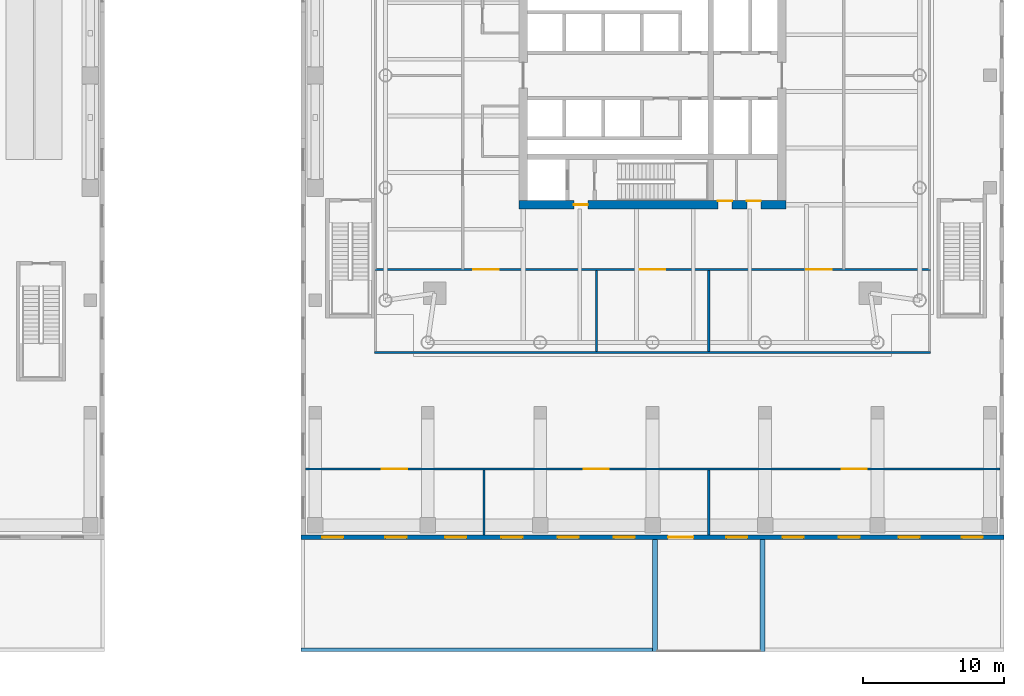
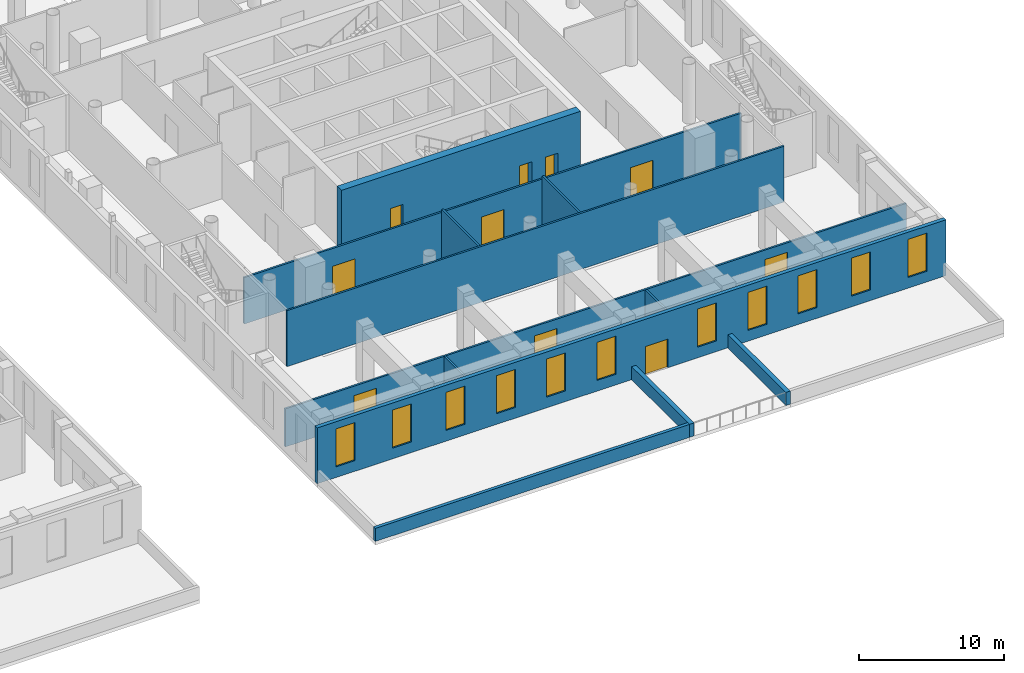
# One storey, part 14 of 26: 12 walls, 11 windows, 10 doors, 21 openings.
"""IFC4 building model written with IfcOpenShell, lengths in metres."""

from ifc_helpers import new_model, si_unit, direction, frame, frame_2d, origin, place, context, subcontext, project, spatial, rectangle, extrude, material, layer, layer_set, type_object, element, fill, save


model = new_model("IFC4")

# Units and contexts
model_context = context("Model", 3, precision=1e-05, world=origin(), true_north=direction((0.0, 1.0)))
body_context = subcontext(model_context, "Body", "Model", "MODEL_VIEW")
ifc_project = project(units=[si_unit("LENGTHUNIT", "METRE"), si_unit("AREAUNIT", "SQUARE_METRE"), si_unit("VOLUMEUNIT", "CUBIC_METRE"), si_unit("PLANEANGLEUNIT", "RADIAN"), si_unit("MASSUNIT", "GRAM", prefix="KILO")], contexts=[model_context])

# Site, building, storey
site_placement = place(None, origin())
site = spatial("IfcSite", under=ifc_project, at=site_placement, CompositionType="ELEMENT")
building_placement = place(site_placement, origin())
building = spatial("IfcBuilding", under=site, at=building_placement, Name="Ostroluk Exchange", CompositionType="ELEMENT")
storey_placement = place(building_placement, frame((0.0, 0.0, 6.0)))
storey = spatial("IfcBuildingStorey", under=building, at=storey_placement, Name="L01", CompositionType="ELEMENT", Elevation=6.0)

# Wall, openings, doors
ifc_material_1 = material(Name="Concrete C50/60", Category="concrete")
ifc_layer_1 = layer(ifc_material_1, 0.60009765625)
ifc_layer_set_1 = layer_set([ifc_layer_1], Name="Core wall 600 C50/60")
wall_type_1 = type_object("IfcWallType", Name="Core wall 600 C50/60", PredefinedType="SHEAR", material=ifc_layer_set_1)
wall_1_placement = place(storey_placement, frame((107.5, 36.800048828125, 0.0), z_axis=(0.0, 0.0, 1.0), x_axis=(1.0, 0.0, 0.0)))
wall_1 = element("IfcWall", 1, at=wall_1_placement, inside=storey, type_object=wall_type_1, Name="T2 core wall S", PredefinedType="SHEAR", context=body_context, shape_type="SweptSolid", body=[
    extrude(rectangle(XDim=19.0, YDim=0.60009765625, at=frame_2d((9.5, 0.0))), origin(), (0.0, 0.0, 1.0), 5.0),
])
opening_1_placement = place(wall_1_placement, frame((3.89990234375, 0.0, 0.0)))
opening_1 = element("IfcOpeningElement", 2, at=opening_1_placement, cuts=wall_1, Name="Opening FD60", PredefinedType="OPENING", context=body_context, shape_type="SweptSolid", body=[
    extrude(rectangle(XDim=1.0, YDim=2.10009765625, at=frame_2d((0.5, 1.050048828125))), frame((0.0, 0.31005859375, 0.0), z_axis=(0.0, -1.0, 0.0), x_axis=(1.0, 0.0, 0.0)), (0.0, 0.0, 1.0), 0.6201171875),
])
opening_2_placement = place(wall_1_placement, frame((14.152587890625, 0.0, 0.0)))
opening_2 = element("IfcOpeningElement", 3, at=opening_2_placement, cuts=wall_1, Name="Opening FD60", PredefinedType="OPENING", context=body_context, shape_type="SweptSolid", body=[
    extrude(rectangle(XDim=1.0, YDim=2.10009765625, at=frame_2d((0.5, 1.050048828125))), frame((0.0, 0.31005859375, 0.0), z_axis=(0.0, -1.0, 0.0), x_axis=(1.0, 0.0, 0.0)), (0.0, 0.0, 1.0), 0.6201171875),
])
opening_3_placement = place(wall_1_placement, frame((16.199951171875, 0.0, 0.0)))
opening_3 = element("IfcOpeningElement", 4, at=opening_3_placement, cuts=wall_1, Name="Opening FD60", PredefinedType="OPENING", context=body_context, shape_type="SweptSolid", body=[
    extrude(rectangle(XDim=1.0, YDim=2.10009765625, at=frame_2d((0.5, 1.050048828125))), frame((0.0, 0.31005859375, 0.0), z_axis=(0.0, -1.0, 0.0), x_axis=(1.0, 0.0, 0.0)), (0.0, 0.0, 1.0), 0.6201171875),
])
ifc_material_2 = material(Name="Steel", Category="steel")
door_type_1 = type_object("IfcDoorType", Name="Fire door EI 60 1000 x 2100", OperationType="SINGLE_SWING_LEFT", PredefinedType="DOOR", material=ifc_material_2)
door_1_placement = place(opening_1_placement, origin())
door_1 = element("IfcDoor", 5, at=door_1_placement, inside=storey, type_object=door_type_1, Name="Firefighting lobby door", OperationType="SINGLE_SWING_LEFT", OverallHeight=2.10009765625, OverallWidth=1.0, PredefinedType="DOOR", context=body_context, shape_type="SweptSolid", body=[
    extrude(rectangle(XDim=1.0, YDim=2.10009765625, at=frame_2d((0.5, 1.050048828125))), frame((0.0, 0.02490234375, 0.0), z_axis=(0.0, -1.0, 0.0), x_axis=(1.0, 0.0, 0.0)), (0.0, 0.0, 1.0), 0.050048828125),
])
fill(opening_1, door_1)
door_2_placement = place(opening_2_placement, origin())
door_2 = element("IfcDoor", 6, at=door_2_placement, inside=storey, type_object=door_type_1, Name="Waste store door", OperationType="SINGLE_SWING_RIGHT", OverallHeight=2.10009765625, OverallWidth=1.0, PredefinedType="DOOR", context=body_context, shape_type="SweptSolid", body=[
    extrude(rectangle(XDim=1.0, YDim=2.10009765625, at=frame_2d((0.5, 1.050048828125))), frame((0.0, 0.2900390625, 0.0), z_axis=(0.0, -1.0, 0.0), x_axis=(1.0, 0.0, 0.0)), (0.0, 0.0, 1.0), 0.050048828125),
])
fill(opening_2, door_2)
door_3_placement = place(opening_3_placement, origin())
door_3 = element("IfcDoor", 7, at=door_3_placement, inside=storey, type_object=door_type_1, Name="Security equipment store door", OperationType="SINGLE_SWING_RIGHT", OverallHeight=2.10009765625, OverallWidth=1.0, PredefinedType="DOOR", context=body_context, shape_type="SweptSolid", body=[
    extrude(rectangle(XDim=1.0, YDim=2.10009765625, at=frame_2d((0.5, 1.050048828125))), frame((0.0, 0.2900390625, 0.0), z_axis=(0.0, -1.0, 0.0), x_axis=(1.0, 0.0, 0.0)), (0.0, 0.0, 1.0), 0.050048828125),
])
fill(opening_3, door_3)

# Wall
ifc_material_3 = material(Name="Limestone", Category="masonry")
ifc_layer_2 = layer(ifc_material_3, 0.25)
ifc_layer_set_2 = layer_set([ifc_layer_2], Name="Green roof parapet 250")
wall_type_2 = type_object("IfcWallType", Name="Green roof parapet 250", PredefinedType="PARAPET", material=ifc_layer_set_2)
wall_2_placement = place(storey_placement, frame((92.0, 5.125, 0.0), z_axis=(0.0, 0.0, 1.0), x_axis=(1.0, 0.0, 0.0)))
element("IfcWall", 8, at=wall_2_placement, inside=storey, type_object=wall_type_2, Name="Green roof parapet L01 1", PredefinedType="PARAPET", context=body_context, shape_type="SweptSolid", body=[
    extrude(rectangle(XDim=24.989990234375, YDim=0.25, at=frame_2d((12.4951171875, 0.0))), origin(), (0.0, 0.0, 1.0), 1.10009765625),
])

# Wall, openings, windows, door
ifc_material_4 = material(Name="Limestone", Category="masonry")
ifc_layer_3 = layer(ifc_material_4, 0.300048828125)
ifc_layer_set_3 = layer_set([ifc_layer_3], Name="Limestone facade wall 300")
wall_type_3 = type_object("IfcWallType", Name="Limestone facade wall 300", PredefinedType="SOLIDWALL", material=ifc_layer_set_3)
wall_3_placement = place(storey_placement, frame((92.0, 13.14990234375, 0.0), z_axis=(0.0, 0.0, 1.0), x_axis=(1.0, 0.0, 0.0)))
wall_3 = element("IfcWall", 9, at=wall_3_placement, inside=storey, type_object=wall_type_3, Name="Podium east S wall L01 1a", PredefinedType="SOLIDWALL", context=body_context, shape_type="SweptSolid", body=[
    extrude(rectangle(XDim=50.0, YDim=0.300048828125, at=frame_2d((25.0, 0.0))), origin(), (0.0, 0.0, 1.0), 4.699951171875),
])
opening_4_placement = place(wall_3_placement, frame((1.5, 0.0, 0.89990234375)))
opening_4 = element("IfcOpeningElement", 10, at=opening_4_placement, cuts=wall_3, Name="Opening WN-L2", PredefinedType="OPENING", context=body_context, shape_type="SweptSolid", body=[
    extrude(rectangle(XDim=1.5, YDim=3.199951171875, at=frame_2d((0.75, 1.60009765625))), frame((0.0, 0.159912109375, 0.0), z_axis=(0.0, -1.0, 0.0), x_axis=(1.0, 0.0, 0.0)), (0.0, 0.0, 1.0), 0.320068359375),
])
opening_5_placement = place(wall_3_placement, frame((6.0, 0.0, 0.89990234375)))
opening_5 = element("IfcOpeningElement", 11, at=opening_5_placement, cuts=wall_3, Name="Opening WN-L2", PredefinedType="OPENING", context=body_context, shape_type="SweptSolid", body=[
    extrude(rectangle(XDim=1.5, YDim=3.199951171875, at=frame_2d((0.75, 1.60009765625))), frame((0.0, 0.159912109375, 0.0), z_axis=(0.0, -1.0, 0.0), x_axis=(1.0, 0.0, 0.0)), (0.0, 0.0, 1.0), 0.320068359375),
])
opening_6_placement = place(wall_3_placement, frame((10.25, 0.0, 0.89990234375)))
opening_6 = element("IfcOpeningElement", 12, at=opening_6_placement, cuts=wall_3, Name="Opening WN-L2", PredefinedType="OPENING", context=body_context, shape_type="SweptSolid", body=[
    extrude(rectangle(XDim=1.5, YDim=3.199951171875, at=frame_2d((0.75, 1.60009765625))), frame((0.0, 0.159912109375, 0.0), z_axis=(0.0, -1.0, 0.0), x_axis=(1.0, 0.0, 0.0)), (0.0, 0.0, 1.0), 0.320068359375),
])
opening_7_placement = place(wall_3_placement, frame((14.25, 0.0, 0.89990234375)))
opening_7 = element("IfcOpeningElement", 13, at=opening_7_placement, cuts=wall_3, Name="Opening WN-L2", PredefinedType="OPENING", context=body_context, shape_type="SweptSolid", body=[
    extrude(rectangle(XDim=1.5, YDim=3.199951171875, at=frame_2d((0.75, 1.60009765625))), frame((0.0, 0.159912109375, 0.0), z_axis=(0.0, -1.0, 0.0), x_axis=(1.0, 0.0, 0.0)), (0.0, 0.0, 1.0), 0.320068359375),
])
opening_8_placement = place(wall_3_placement, frame((18.25, 0.0, 0.89990234375)))
opening_8 = element("IfcOpeningElement", 14, at=opening_8_placement, cuts=wall_3, Name="Opening WN-L2", PredefinedType="OPENING", context=body_context, shape_type="SweptSolid", body=[
    extrude(rectangle(XDim=1.5, YDim=3.199951171875, at=frame_2d((0.75, 1.60009765625))), frame((0.0, 0.159912109375, 0.0), z_axis=(0.0, -1.0, 0.0), x_axis=(1.0, 0.0, 0.0)), (0.0, 0.0, 1.0), 0.320068359375),
])
opening_9_placement = place(wall_3_placement, frame((22.25, 0.0, 0.89990234375)))
opening_9 = element("IfcOpeningElement", 15, at=opening_9_placement, cuts=wall_3, Name="Opening WN-L2", PredefinedType="OPENING", context=body_context, shape_type="SweptSolid", body=[
    extrude(rectangle(XDim=1.5, YDim=3.199951171875, at=frame_2d((0.75, 1.60009765625))), frame((0.0, 0.159912109375, 0.0), z_axis=(0.0, -1.0, 0.0), x_axis=(1.0, 0.0, 0.0)), (0.0, 0.0, 1.0), 0.320068359375),
])
opening_10_placement = place(wall_3_placement, frame((26.10009765625, 0.0, 0.0)))
opening_10 = element("IfcOpeningElement", 16, at=opening_10_placement, cuts=wall_3, Name="Opening D-T1", PredefinedType="OPENING", context=body_context, shape_type="SweptSolid", body=[
    extrude(rectangle(XDim=1.800048828125, YDim=2.39990234375, at=frame_2d((0.89990234375, 1.199951171875))), frame((0.0, 0.159912109375, 0.0), z_axis=(0.0, -1.0, 0.0), x_axis=(1.0, 0.0, 0.0)), (0.0, 0.0, 1.0), 0.320068359375),
])
opening_11_placement = place(wall_3_placement, frame((30.25, 0.0, 0.89990234375)))
opening_11 = element("IfcOpeningElement", 17, at=opening_11_placement, cuts=wall_3, Name="Opening WN-L2", PredefinedType="OPENING", context=body_context, shape_type="SweptSolid", body=[
    extrude(rectangle(XDim=1.5, YDim=3.199951171875, at=frame_2d((0.75, 1.60009765625))), frame((0.0, 0.159912109375, 0.0), z_axis=(0.0, -1.0, 0.0), x_axis=(1.0, 0.0, 0.0)), (0.0, 0.0, 1.0), 0.320068359375),
])
opening_12_placement = place(wall_3_placement, frame((34.25, 0.0, 0.89990234375)))
opening_12 = element("IfcOpeningElement", 18, at=opening_12_placement, cuts=wall_3, Name="Opening WN-L2", PredefinedType="OPENING", context=body_context, shape_type="SweptSolid", body=[
    extrude(rectangle(XDim=1.5, YDim=3.199951171875, at=frame_2d((0.75, 1.60009765625))), frame((0.0, 0.159912109375, 0.0), z_axis=(0.0, -1.0, 0.0), x_axis=(1.0, 0.0, 0.0)), (0.0, 0.0, 1.0), 0.320068359375),
])
opening_13_placement = place(wall_3_placement, frame((38.25, 0.0, 0.89990234375)))
opening_13 = element("IfcOpeningElement", 19, at=opening_13_placement, cuts=wall_3, Name="Opening WN-L2", PredefinedType="OPENING", context=body_context, shape_type="SweptSolid", body=[
    extrude(rectangle(XDim=1.5, YDim=3.199951171875, at=frame_2d((0.75, 1.60009765625))), frame((0.0, 0.159912109375, 0.0), z_axis=(0.0, -1.0, 0.0), x_axis=(1.0, 0.0, 0.0)), (0.0, 0.0, 1.0), 0.320068359375),
])
opening_14_placement = place(wall_3_placement, frame((42.5, 0.0, 0.89990234375)))
opening_14 = element("IfcOpeningElement", 20, at=opening_14_placement, cuts=wall_3, Name="Opening WN-L2", PredefinedType="OPENING", context=body_context, shape_type="SweptSolid", body=[
    extrude(rectangle(XDim=1.5, YDim=3.199951171875, at=frame_2d((0.75, 1.60009765625))), frame((0.0, 0.159912109375, 0.0), z_axis=(0.0, -1.0, 0.0), x_axis=(1.0, 0.0, 0.0)), (0.0, 0.0, 1.0), 0.320068359375),
])
opening_15_placement = place(wall_3_placement, frame((47.0, 0.0, 0.89990234375)))
opening_15 = element("IfcOpeningElement", 21, at=opening_15_placement, cuts=wall_3, Name="Opening WN-L2", PredefinedType="OPENING", context=body_context, shape_type="SweptSolid", body=[
    extrude(rectangle(XDim=1.5, YDim=3.199951171875, at=frame_2d((0.75, 1.60009765625))), frame((0.0, 0.159912109375, 0.0), z_axis=(0.0, -1.0, 0.0), x_axis=(1.0, 0.0, 0.0)), (0.0, 0.0, 1.0), 0.320068359375),
])
ifc_material_5 = material(Name="Laminated clear glass", Category="glass")
window_type = type_object("IfcWindowType", Name="Podium lancet window 1500 x 3200", PartitioningType="DOUBLE_PANEL_VERTICAL", PredefinedType="WINDOW", material=ifc_material_5)
window_1_placement = place(opening_4_placement, origin())
window_1 = element("IfcWindow", 22, at=window_1_placement, inside=storey, type_object=window_type, Name="Podium east lancet window S L01 1.1", OverallHeight=3.199951171875, OverallWidth=1.5, PartitioningType="SINGLE_PANEL", PredefinedType="WINDOW", context=body_context, shape_type="SweptSolid", body=[
    extrude(rectangle(XDim=1.5, YDim=3.199951171875, at=frame_2d((0.75, 1.60009765625))), frame((0.0, 0.030029296875, 0.0), z_axis=(0.0, -1.0, 0.0), x_axis=(1.0, 0.0, 0.0)), (0.0, 0.0, 1.0), 0.06005859375),
])
fill(opening_4, window_1)
window_2_placement = place(opening_5_placement, origin())
window_2 = element("IfcWindow", 23, at=window_2_placement, inside=storey, type_object=window_type, Name="Podium east lancet window S L01 1.2", OverallHeight=3.199951171875, OverallWidth=1.5, PartitioningType="SINGLE_PANEL", PredefinedType="WINDOW", context=body_context, shape_type="SweptSolid", body=[
    extrude(rectangle(XDim=1.5, YDim=3.199951171875, at=frame_2d((0.75, 1.60009765625))), frame((0.0, 0.030029296875, 0.0), z_axis=(0.0, -1.0, 0.0), x_axis=(1.0, 0.0, 0.0)), (0.0, 0.0, 1.0), 0.06005859375),
])
fill(opening_5, window_2)
window_3_placement = place(opening_6_placement, origin())
window_3 = element("IfcWindow", 24, at=window_3_placement, inside=storey, type_object=window_type, Name="Podium east lancet window S L01 2.1", OverallHeight=3.199951171875, OverallWidth=1.5, PartitioningType="SINGLE_PANEL", PredefinedType="WINDOW", context=body_context, shape_type="SweptSolid", body=[
    extrude(rectangle(XDim=1.5, YDim=3.199951171875, at=frame_2d((0.75, 1.60009765625))), frame((0.0, 0.030029296875, 0.0), z_axis=(0.0, -1.0, 0.0), x_axis=(1.0, 0.0, 0.0)), (0.0, 0.0, 1.0), 0.06005859375),
])
fill(opening_6, window_3)
window_4_placement = place(opening_7_placement, origin())
window_4 = element("IfcWindow", 25, at=window_4_placement, inside=storey, type_object=window_type, Name="Podium east lancet window S L01 2.2", OverallHeight=3.199951171875, OverallWidth=1.5, PartitioningType="SINGLE_PANEL", PredefinedType="WINDOW", context=body_context, shape_type="SweptSolid", body=[
    extrude(rectangle(XDim=1.5, YDim=3.199951171875, at=frame_2d((0.75, 1.60009765625))), frame((0.0, 0.030029296875, 0.0), z_axis=(0.0, -1.0, 0.0), x_axis=(1.0, 0.0, 0.0)), (0.0, 0.0, 1.0), 0.06005859375),
])
fill(opening_7, window_4)
window_5_placement = place(opening_8_placement, origin())
window_5 = element("IfcWindow", 26, at=window_5_placement, inside=storey, type_object=window_type, Name="Podium east lancet window S L01 3.1", OverallHeight=3.199951171875, OverallWidth=1.5, PartitioningType="SINGLE_PANEL", PredefinedType="WINDOW", context=body_context, shape_type="SweptSolid", body=[
    extrude(rectangle(XDim=1.5, YDim=3.199951171875, at=frame_2d((0.75, 1.60009765625))), frame((0.0, 0.030029296875, 0.0), z_axis=(0.0, -1.0, 0.0), x_axis=(1.0, 0.0, 0.0)), (0.0, 0.0, 1.0), 0.06005859375),
])
fill(opening_8, window_5)
window_6_placement = place(opening_9_placement, origin())
window_6 = element("IfcWindow", 27, at=window_6_placement, inside=storey, type_object=window_type, Name="Podium east lancet window S L01 3.2", OverallHeight=3.199951171875, OverallWidth=1.5, PartitioningType="SINGLE_PANEL", PredefinedType="WINDOW", context=body_context, shape_type="SweptSolid", body=[
    extrude(rectangle(XDim=1.5, YDim=3.199951171875, at=frame_2d((0.75, 1.60009765625))), frame((0.0, 0.030029296875, 0.0), z_axis=(0.0, -1.0, 0.0), x_axis=(1.0, 0.0, 0.0)), (0.0, 0.0, 1.0), 0.06005859375),
])
fill(opening_9, window_6)
window_7_placement = place(opening_11_placement, origin())
window_7 = element("IfcWindow", 28, at=window_7_placement, inside=storey, type_object=window_type, Name="Podium east lancet window S L01 4.2", OverallHeight=3.199951171875, OverallWidth=1.5, PartitioningType="SINGLE_PANEL", PredefinedType="WINDOW", context=body_context, shape_type="SweptSolid", body=[
    extrude(rectangle(XDim=1.5, YDim=3.199951171875, at=frame_2d((0.75, 1.60009765625))), frame((0.0, 0.030029296875, 0.0), z_axis=(0.0, -1.0, 0.0), x_axis=(1.0, 0.0, 0.0)), (0.0, 0.0, 1.0), 0.06005859375),
])
fill(opening_11, window_7)
window_8_placement = place(opening_12_placement, origin())
window_8 = element("IfcWindow", 29, at=window_8_placement, inside=storey, type_object=window_type, Name="Podium east lancet window S L01 5.1", OverallHeight=3.199951171875, OverallWidth=1.5, PartitioningType="SINGLE_PANEL", PredefinedType="WINDOW", context=body_context, shape_type="SweptSolid", body=[
    extrude(rectangle(XDim=1.5, YDim=3.199951171875, at=frame_2d((0.75, 1.60009765625))), frame((0.0, 0.030029296875, 0.0), z_axis=(0.0, -1.0, 0.0), x_axis=(1.0, 0.0, 0.0)), (0.0, 0.0, 1.0), 0.06005859375),
])
fill(opening_12, window_8)
window_9_placement = place(opening_13_placement, origin())
window_9 = element("IfcWindow", 30, at=window_9_placement, inside=storey, type_object=window_type, Name="Podium east lancet window S L01 5.2", OverallHeight=3.199951171875, OverallWidth=1.5, PartitioningType="SINGLE_PANEL", PredefinedType="WINDOW", context=body_context, shape_type="SweptSolid", body=[
    extrude(rectangle(XDim=1.5, YDim=3.199951171875, at=frame_2d((0.75, 1.60009765625))), frame((0.0, 0.030029296875, 0.0), z_axis=(0.0, -1.0, 0.0), x_axis=(1.0, 0.0, 0.0)), (0.0, 0.0, 1.0), 0.06005859375),
])
fill(opening_13, window_9)
window_10_placement = place(opening_14_placement, origin())
window_10 = element("IfcWindow", 31, at=window_10_placement, inside=storey, type_object=window_type, Name="Podium east lancet window S L01 6.1", OverallHeight=3.199951171875, OverallWidth=1.5, PartitioningType="SINGLE_PANEL", PredefinedType="WINDOW", context=body_context, shape_type="SweptSolid", body=[
    extrude(rectangle(XDim=1.5, YDim=3.199951171875, at=frame_2d((0.75, 1.60009765625))), frame((0.0, 0.030029296875, 0.0), z_axis=(0.0, -1.0, 0.0), x_axis=(1.0, 0.0, 0.0)), (0.0, 0.0, 1.0), 0.06005859375),
])
fill(opening_14, window_10)
window_11_placement = place(opening_15_placement, origin())
window_11 = element("IfcWindow", 32, at=window_11_placement, inside=storey, type_object=window_type, Name="Podium east lancet window S L01 6.2", OverallHeight=3.199951171875, OverallWidth=1.5, PartitioningType="SINGLE_PANEL", PredefinedType="WINDOW", context=body_context, shape_type="SweptSolid", body=[
    extrude(rectangle(XDim=1.5, YDim=3.199951171875, at=frame_2d((0.75, 1.60009765625))), frame((0.0, 0.030029296875, 0.0), z_axis=(0.0, -1.0, 0.0), x_axis=(1.0, 0.0, 0.0)), (0.0, 0.0, 1.0), 0.06005859375),
])
fill(opening_15, window_11)
ifc_material_6 = material(Name="Bronze framed glazed door", Category="aluminium")
door_type_2 = type_object("IfcDoorType", Name="Terrace double door 1800 x 2400", OperationType="DOUBLE_DOOR_SINGLE_SWING", PredefinedType="DOOR", material=ifc_material_6)
door_4_placement = place(opening_10_placement, origin())
door_4 = element("IfcDoor", 33, at=door_4_placement, inside=storey, type_object=door_type_2, Name="Podium east terrace door S L01 4", OperationType="DOUBLE_DOOR_SINGLE_SWING", OverallHeight=2.39990234375, OverallWidth=1.800048828125, PredefinedType="DOOR", context=body_context, shape_type="SweptSolid", body=[
    extrude(rectangle(XDim=1.800048828125, YDim=2.39990234375, at=frame_2d((0.89990234375, 1.199951171875))), frame((0.0, 0.02490234375, 0.0), z_axis=(0.0, -1.0, 0.0), x_axis=(1.0, 0.0, 0.0)), (0.0, 0.0, 1.0), 0.050048828125),
])
fill(opening_10, door_4)

# Walls
ifc_material_7 = material(Name="Limestone", Category="masonry")
ifc_layer_4 = layer(ifc_material_7, 0.35009765625)
ifc_layer_set_4 = layer_set([ifc_layer_4], Name="Planter wall 350")
wall_type_4 = type_object("IfcWallType", Name="Planter wall 350", PredefinedType="PARAPET", material=ifc_layer_set_4)
for number, where, z_axis, x_axis, name in (
    (34, (117.175048828125, 5.0, 0.0), (0.0, 0.0, 1.0), (0.0, 1.0, 0.0), "Terrace planter wall L01 1"),
    (35, (124.824951171875, 5.0, 0.0), (0.0, 0.0, 1.0), (0.0, 1.0, 0.0), "Terrace planter wall L01 2"),
):
    element("IfcWall", number, at=place(storey_placement, frame(where, z_axis=z_axis, x_axis=x_axis)), inside=storey, type_object=wall_type_4, Name=name, PredefinedType="PARAPET", context=body_context, shape_type="SweptSolid", body=[
        extrude(rectangle(XDim=8.0, YDim=0.35009765625, at=frame_2d((4.0, 0.0))), origin(), (0.0, 0.0, 1.0), 1.10009765625),
    ])

# Wall, openings, doors
ifc_material_8 = material(Name="Gypsum plasterboard partition", Category="gypsum")
ifc_layer_5 = layer(ifc_material_8, 0.14990234375)
ifc_layer_set_5 = layer_set([ifc_layer_5], Name="Plasterboard partition 150")
wall_type_5 = type_object("IfcWallType", Name="Plasterboard partition 150", PredefinedType="PARTITIONING", material=ifc_layer_set_5)
wall_4_placement = place(storey_placement, frame((92.300048828125, 18.0, 0.0), z_axis=(0.0, 0.0, 1.0), x_axis=(1.0, 0.0, 0.0)))
wall_4 = element("IfcWall", 36, at=wall_4_placement, inside=storey, type_object=wall_type_5, Name="Partition", PredefinedType="PARTITIONING", context=body_context, shape_type="SweptSolid", body=[
    extrude(rectangle(XDim=49.39990234375, YDim=0.14990234375, at=frame_2d((24.699951171875, 0.0))), origin(), (0.0, 0.0, 1.0), 3.199951171875),
])
opening_16_placement = place(wall_4_placement, frame((5.449951171875, 0.0, 0.0)))
opening_16 = element("IfcOpeningElement", 37, at=opening_16_placement, cuts=wall_4, Name="Opening D-04", PredefinedType="OPENING", context=body_context, shape_type="SweptSolid", body=[
    extrude(rectangle(XDim=1.800048828125, YDim=2.39990234375, at=frame_2d((0.89990234375, 1.199951171875))), frame((0.0, 0.0849609375, 0.0), z_axis=(0.0, -1.0, 0.0), x_axis=(1.0, 0.0, 0.0)), (0.0, 0.0, 1.0), 0.169921875),
])
opening_17_placement = place(wall_4_placement, frame((19.800048828125, 0.0, 0.0)))
opening_17 = element("IfcOpeningElement", 38, at=opening_17_placement, cuts=wall_4, Name="Opening D-04", PredefinedType="OPENING", context=body_context, shape_type="SweptSolid", body=[
    extrude(rectangle(XDim=1.800048828125, YDim=2.39990234375, at=frame_2d((0.89990234375, 1.199951171875))), frame((0.0, 0.0849609375, 0.0), z_axis=(0.0, -1.0, 0.0), x_axis=(1.0, 0.0, 0.0)), (0.0, 0.0, 1.0), 0.169921875),
])
opening_18_placement = place(wall_4_placement, frame((38.14990234375, 0.0, 0.0)))
opening_18 = element("IfcOpeningElement", 39, at=opening_18_placement, cuts=wall_4, Name="Opening D-04", PredefinedType="OPENING", context=body_context, shape_type="SweptSolid", body=[
    extrude(rectangle(XDim=1.800048828125, YDim=2.39990234375, at=frame_2d((0.89990234375, 1.199951171875))), frame((0.0, 0.0849609375, 0.0), z_axis=(0.0, -1.0, 0.0), x_axis=(1.0, 0.0, 0.0)), (0.0, 0.0, 1.0), 0.169921875),
])
ifc_material_9 = material(Name="Timber", Category="wood")
door_type_3 = type_object("IfcDoorType", Name="Double door 1800 x 2400", OperationType="DOUBLE_DOOR_SINGLE_SWING", PredefinedType="DOOR", material=ifc_material_9)
door_5_placement = place(opening_16_placement, origin())
door_5 = element("IfcDoor", 40, at=door_5_placement, inside=storey, type_object=door_type_3, Name="Retail unit door", OperationType="DOUBLE_DOOR_SINGLE_SWING", OverallHeight=2.39990234375, OverallWidth=1.800048828125, PredefinedType="DOOR", context=body_context, shape_type="SweptSolid", body=[
    extrude(rectangle(XDim=1.800048828125, YDim=2.39990234375, at=frame_2d((0.89990234375, 1.199951171875))), frame((0.0, 0.02490234375, 0.0), z_axis=(0.0, -1.0, 0.0), x_axis=(1.0, 0.0, 0.0)), (0.0, 0.0, 1.0), 0.050048828125),
])
fill(opening_16, door_5)
door_6_placement = place(opening_17_placement, origin())
door_6 = element("IfcDoor", 41, at=door_6_placement, inside=storey, type_object=door_type_3, Name="Retail unit door", OperationType="DOUBLE_DOOR_SINGLE_SWING", OverallHeight=2.39990234375, OverallWidth=1.800048828125, PredefinedType="DOOR", context=body_context, shape_type="SweptSolid", body=[
    extrude(rectangle(XDim=1.800048828125, YDim=2.39990234375, at=frame_2d((0.89990234375, 1.199951171875))), frame((0.0, 0.02490234375, 0.0), z_axis=(0.0, -1.0, 0.0), x_axis=(1.0, 0.0, 0.0)), (0.0, 0.0, 1.0), 0.050048828125),
])
fill(opening_17, door_6)
door_7_placement = place(opening_18_placement, origin())
door_7 = element("IfcDoor", 42, at=door_7_placement, inside=storey, type_object=door_type_3, Name="Retail unit door", OperationType="DOUBLE_DOOR_SINGLE_SWING", OverallHeight=2.39990234375, OverallWidth=1.800048828125, PredefinedType="DOOR", context=body_context, shape_type="SweptSolid", body=[
    extrude(rectangle(XDim=1.800048828125, YDim=2.39990234375, at=frame_2d((0.89990234375, 1.199951171875))), frame((0.0, 0.02490234375, 0.0), z_axis=(0.0, -1.0, 0.0), x_axis=(1.0, 0.0, 0.0)), (0.0, 0.0, 1.0), 0.050048828125),
])
fill(opening_18, door_7)

# Walls
for number, where, z_axis, x_axis, name in (
    (43, (105.0, 17.925048828125, 0.0), (0.0, 0.0, 1.0), (0.0, -1.0, 0.0), "Partition"),
    (44, (121.0, 17.925048828125, 0.0), (0.0, 0.0, 1.0), (0.0, -1.0, 0.0), "Partition"),
):
    element("IfcWall", number, at=place(storey_placement, frame(where, z_axis=z_axis, x_axis=x_axis)), inside=storey, type_object=wall_type_5, Name=name, PredefinedType="PARTITIONING", context=body_context, shape_type="SweptSolid", body=[
        extrude(rectangle(XDim=4.625, YDim=0.14990234375, at=frame_2d((2.3125, 0.0))), origin(), (0.0, 0.0, 1.0), 3.199951171875),
    ])
wall_5_placement = place(storey_placement, frame((97.22509765625, 26.300048828125, 0.0), z_axis=(0.0, 0.0, 1.0), x_axis=(1.0, 0.0, 0.0)))
element("IfcWall", 45, at=wall_5_placement, inside=storey, type_object=wall_type_5, Name="Partition", PredefinedType="PARTITIONING", context=body_context, shape_type="SweptSolid", body=[
    extrude(rectangle(XDim=39.5498046875, YDim=0.14990234375, at=frame_2d((19.77490234375, 0.0))), origin(), (0.0, 0.0, 1.0), 4.699951171875),
])

# Wall, openings, doors
wall_6_placement = place(storey_placement, frame((97.22509765625, 32.199951171875, 0.0), z_axis=(0.0, 0.0, 1.0), x_axis=(1.0, 0.0, 0.0)))
wall_6 = element("IfcWall", 46, at=wall_6_placement, inside=storey, type_object=wall_type_5, Name="Partition", PredefinedType="PARTITIONING", context=body_context, shape_type="SweptSolid", body=[
    extrude(rectangle(XDim=39.5498046875, YDim=0.14990234375, at=frame_2d((19.77490234375, 0.0))), origin(), (0.0, 0.0, 1.0), 3.89990234375),
])
opening_19_placement = place(wall_6_placement, frame((7.02490234375, 0.0, 0.0)))
opening_19 = element("IfcOpeningElement", 47, at=opening_19_placement, cuts=wall_6, Name="Opening D-04", PredefinedType="OPENING", context=body_context, shape_type="SweptSolid", body=[
    extrude(rectangle(XDim=1.800048828125, YDim=2.39990234375, at=frame_2d((0.89990234375, 1.199951171875))), frame((0.0, 0.0849609375, 0.0), z_axis=(0.0, -1.0, 0.0), x_axis=(1.0, 0.0, 0.0)), (0.0, 0.0, 1.0), 0.169921875),
])
opening_20_placement = place(wall_6_placement, frame((18.875, 0.0, 0.0)))
opening_20 = element("IfcOpeningElement", 48, at=opening_20_placement, cuts=wall_6, Name="Opening D-04", PredefinedType="OPENING", context=body_context, shape_type="SweptSolid", body=[
    extrude(rectangle(XDim=1.800048828125, YDim=2.39990234375, at=frame_2d((0.89990234375, 1.199951171875))), frame((0.0, 0.0849609375, 0.0), z_axis=(0.0, -1.0, 0.0), x_axis=(1.0, 0.0, 0.0)), (0.0, 0.0, 1.0), 0.169921875),
])
opening_21_placement = place(wall_6_placement, frame((30.72509765625, 0.0, 0.0)))
opening_21 = element("IfcOpeningElement", 49, at=opening_21_placement, cuts=wall_6, Name="Opening D-04", PredefinedType="OPENING", context=body_context, shape_type="SweptSolid", body=[
    extrude(rectangle(XDim=1.800048828125, YDim=2.39990234375, at=frame_2d((0.89990234375, 1.199951171875))), frame((0.0, 0.0849609375, 0.0), z_axis=(0.0, -1.0, 0.0), x_axis=(1.0, 0.0, 0.0)), (0.0, 0.0, 1.0), 0.169921875),
])
door_8_placement = place(opening_19_placement, origin())
door_8 = element("IfcDoor", 50, at=door_8_placement, inside=storey, type_object=door_type_3, Name="Goods store door", OperationType="DOUBLE_DOOR_SINGLE_SWING", OverallHeight=2.39990234375, OverallWidth=1.800048828125, PredefinedType="DOOR", context=body_context, shape_type="SweptSolid", body=[
    extrude(rectangle(XDim=1.800048828125, YDim=2.39990234375, at=frame_2d((0.89990234375, 1.199951171875))), frame((0.0, 0.02490234375, 0.0), z_axis=(0.0, -1.0, 0.0), x_axis=(1.0, 0.0, 0.0)), (0.0, 0.0, 1.0), 0.050048828125),
])
fill(opening_19, door_8)
door_9_placement = place(opening_20_placement, origin())
door_9 = element("IfcDoor", 51, at=door_9_placement, inside=storey, type_object=door_type_3, Name="Goods store door", OperationType="DOUBLE_DOOR_SINGLE_SWING", OverallHeight=2.39990234375, OverallWidth=1.800048828125, PredefinedType="DOOR", context=body_context, shape_type="SweptSolid", body=[
    extrude(rectangle(XDim=1.800048828125, YDim=2.39990234375, at=frame_2d((0.89990234375, 1.199951171875))), frame((0.0, 0.02490234375, 0.0), z_axis=(0.0, -1.0, 0.0), x_axis=(1.0, 0.0, 0.0)), (0.0, 0.0, 1.0), 0.050048828125),
])
fill(opening_20, door_9)
door_10_placement = place(opening_21_placement, origin())
door_10 = element("IfcDoor", 52, at=door_10_placement, inside=storey, type_object=door_type_3, Name="Goods store door", OperationType="DOUBLE_DOOR_SINGLE_SWING", OverallHeight=2.39990234375, OverallWidth=1.800048828125, PredefinedType="DOOR", context=body_context, shape_type="SweptSolid", body=[
    extrude(rectangle(XDim=1.800048828125, YDim=2.39990234375, at=frame_2d((0.89990234375, 1.199951171875))), frame((0.0, 0.02490234375, 0.0), z_axis=(0.0, -1.0, 0.0), x_axis=(1.0, 0.0, 0.0)), (0.0, 0.0, 1.0), 0.050048828125),
])
fill(opening_21, door_10)

# Walls
for number, where, z_axis, x_axis, name in (
    (53, (113.0, 26.375, 0.0), (0.0, 0.0, 1.0), (0.0, 1.0, 0.0), "Partition"),
    (54, (121.0, 26.375, 0.0), (0.0, 0.0, 1.0), (0.0, 1.0, 0.0), "Partition"),
):
    element("IfcWall", number, at=place(storey_placement, frame(where, z_axis=z_axis, x_axis=x_axis)), inside=storey, type_object=wall_type_5, Name=name, PredefinedType="PARTITIONING", context=body_context, shape_type="SweptSolid", body=[
        extrude(rectangle(XDim=5.75, YDim=0.14990234375, at=frame_2d((2.875, 0.0))), origin(), (0.0, 0.0, 1.0), 4.14990234375),
    ])

save(model, "model.ifc")
